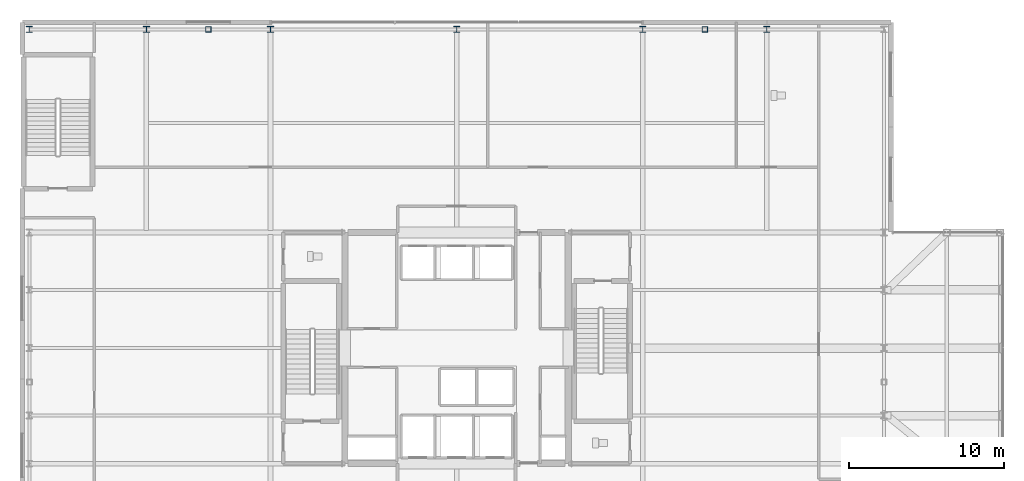
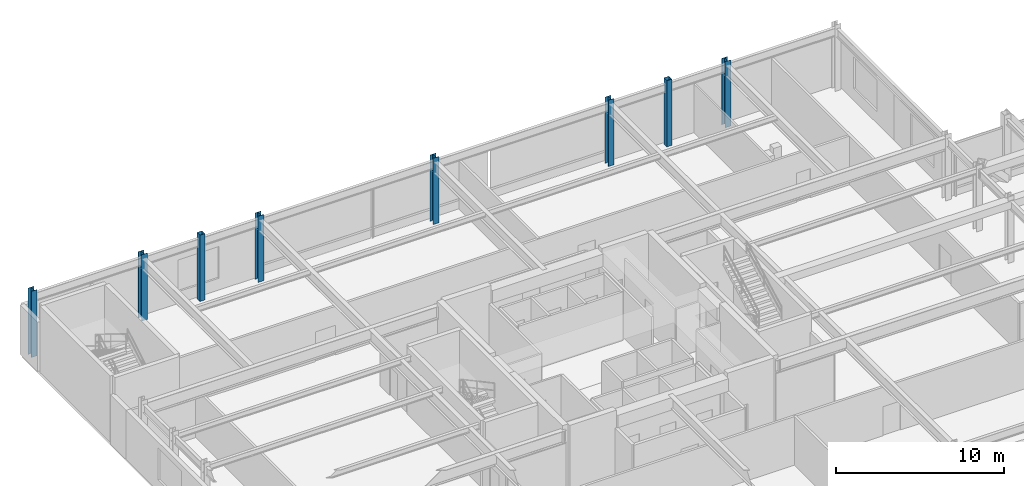
# One storey, part 3 of 26: 8 columns.
"""IFC4 building model written with IfcOpenShell, lengths in metres."""

from ifc_helpers import new_model, si_unit, direction, frame, origin, origin_2d, place, context, subcontext, project, spatial, hollow_rectangle, i_section, extrude, material, material_profile, profile_set, type_object, element, save


model = new_model("IFC4")

# Units and contexts
model_context = context("Model", 3, precision=1e-05, world=origin(), true_north=direction((0.0, 1.0)))
body_context = subcontext(model_context, "Body", "Model", "MODEL_VIEW")
ifc_project = project(units=[si_unit("LENGTHUNIT", "METRE"), si_unit("AREAUNIT", "SQUARE_METRE"), si_unit("VOLUMEUNIT", "CUBIC_METRE"), si_unit("PLANEANGLEUNIT", "RADIAN"), si_unit("MASSUNIT", "GRAM", prefix="KILO")], contexts=[model_context])

# Site, building, storey
site_placement = place(None, origin())
site = spatial("IfcSite", under=ifc_project, at=site_placement, CompositionType="ELEMENT")
building_placement = place(site_placement, origin())
building = spatial("IfcBuilding", under=site, at=building_placement, Name="Veldorina Hangang Commons", CompositionType="ELEMENT")
storey_placement = place(building_placement, frame((0.0, 0.0, 5.199951171875)))
storey = spatial("IfcBuildingStorey", under=building, at=storey_placement, Name="L01", CompositionType="ELEMENT", Elevation=5.199951171875)

# Columns
ifc_material_1 = material(Name="Steel SM460-TMC", Category="steel")
ifc_material_profile_1 = material_profile(ifc_material_1, i_section(OverallWidth=0.39990234375, OverallDepth=0.39990234375, WebThickness=0.012939453125, FlangeThickness=0.02099609375, FilletRadius=0.01806640625, at=origin_2d()), Name="H-400x400x13x21")
ifc_profile_set_1 = profile_set([ifc_material_profile_1], Name="Steel SM460-TMC")
column_type_1 = type_object("IfcColumnType", Name="COL-H400", PredefinedType="COLUMN", material=ifc_profile_set_1)
for number, where, z_axis, x_axis, name in (
    (1, (4.449951171875, 44.550048828125, 0.0), (0.0, 0.0, 1.0), (1.0, 0.0, 0.0), "L01 structural column N1"),
    (2, (12.0, 44.550048828125, 0.0), (0.0, 0.0, 1.0), (1.0, 0.0, 0.0), "L01 structural column N2"),
    (3, (20.0, 44.550048828125, 0.0), (0.0, 0.0, 1.0), (1.0, 0.0, 0.0), "L01 structural column N3"),
    (4, (32.0, 44.550048828125, 0.0), (0.0, 0.0, 1.0), (1.0, 0.0, 0.0), "L01 structural column N4"),
    (5, (44.0, 44.550048828125, 0.0), (0.0, 0.0, 1.0), (1.0, 0.0, 0.0), "L01 structural column N5"),
    (6, (52.0, 44.550048828125, 0.0), (0.0, 0.0, 1.0), (1.0, 0.0, 0.0), "L01 structural column N6"),
):
    element("IfcColumn", number, at=place(storey_placement, frame(where, z_axis=z_axis, x_axis=x_axis)), inside=storey, type_object=column_type_1, Name=name, PredefinedType="COLUMN", context=body_context, shape_type="SweptSolid", body=[
        extrude(i_section(OverallWidth=0.39990234375, OverallDepth=0.39990234375, WebThickness=0.012939453125, FlangeThickness=0.02099609375, FilletRadius=0.01806640625, at=origin_2d()), origin(), (0.0, 0.0, 1.0), 4.800048828125),
    ])
ifc_material_2 = material(Name="Steel SM355-TMC", Category="steel")
ifc_material_profile_2 = material_profile(ifc_material_2, hollow_rectangle(XDim=0.35009765625, YDim=0.35009765625, WallThickness=0.01611328125, at=origin_2d()), Name="SHS-350x350x16")
ifc_profile_set_2 = profile_set([ifc_material_profile_2], Name="Steel SM355-TMC")
column_type_2 = type_object("IfcColumnType", Name="COL-PIL-350", PredefinedType="PILASTER", material=ifc_profile_set_2)
for number, where, z_axis, x_axis, name in (
    (7, (16.0, 44.550048828125, 0.0), (0.0, 0.0, 1.0), (1.0, 0.0, 0.0), "L01 rationalist colonnade pilaster 1"),
    (8, (48.0, 44.550048828125, 0.0), (0.0, 0.0, 1.0), (1.0, 0.0, 0.0), "L01 rationalist colonnade pilaster 2"),
):
    element("IfcColumn", number, at=place(storey_placement, frame(where, z_axis=z_axis, x_axis=x_axis)), inside=storey, type_object=column_type_2, Name=name, PredefinedType="PILASTER", context=body_context, shape_type="SweptSolid", body=[
        extrude(hollow_rectangle(XDim=0.35009765625, YDim=0.35009765625, WallThickness=0.01611328125, at=origin_2d()), origin(), (0.0, 0.0, 1.0), 4.800048828125),
    ])

save(model, "model.ifc")
